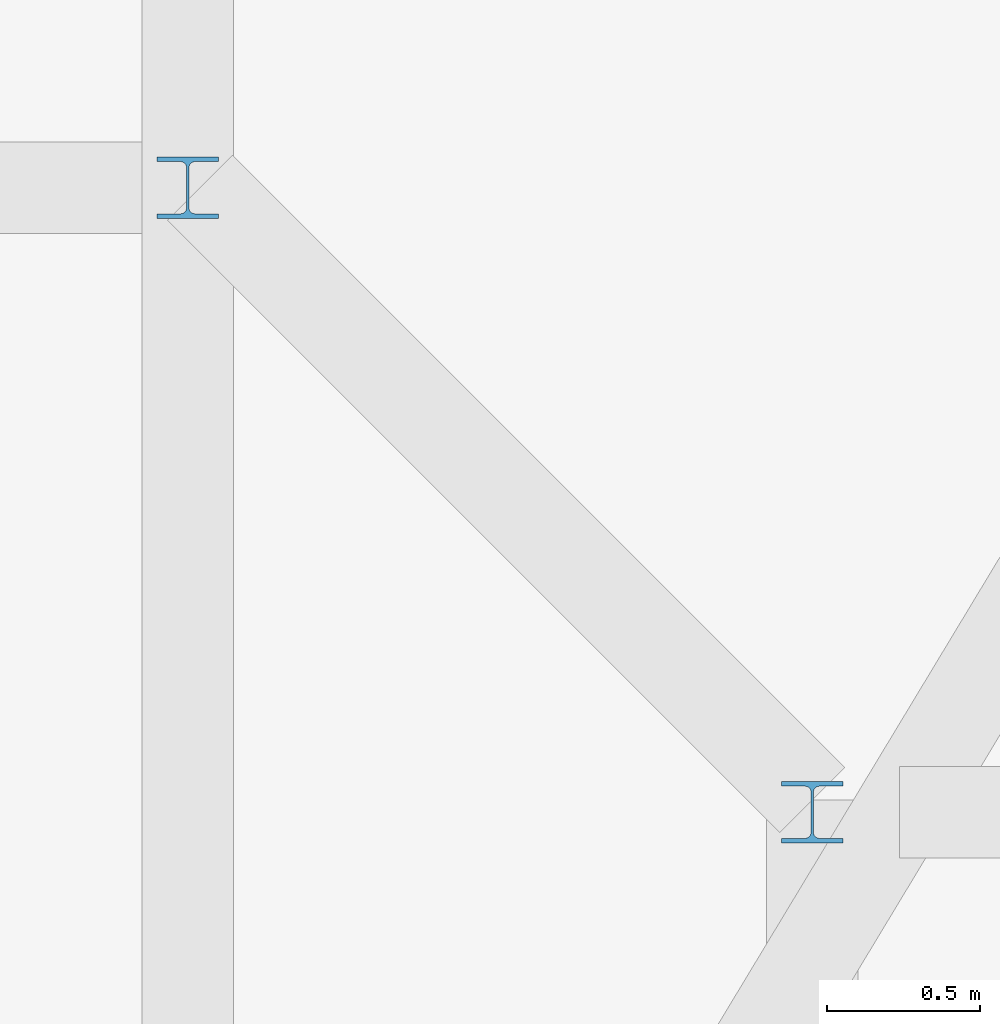
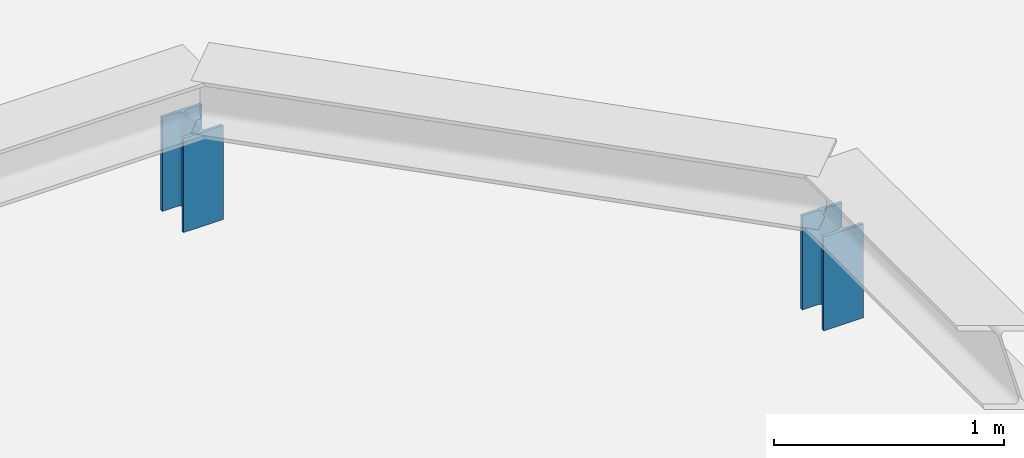
# One storey, part 9 of 12: 2 members.
"""IFC4 building model written with IfcOpenShell, lengths in metres."""

from ifc_helpers import new_model, si_unit, direction, frame, origin, origin_2d, place, context, subcontext, project, spatial, i_section, extrude, material, material_profile, profile_set, type_object, element, save


model = new_model("IFC4")

# Units and contexts
model_context = context("Model", 3, precision=1e-05, world=origin(), true_north=direction((0.0, 1.0)))
body_context = subcontext(model_context, "Body", "Model", "MODEL_VIEW")
ifc_project = project(units=[si_unit("LENGTHUNIT", "METRE"), si_unit("AREAUNIT", "SQUARE_METRE"), si_unit("VOLUMEUNIT", "CUBIC_METRE"), si_unit("PLANEANGLEUNIT", "RADIAN"), si_unit("MASSUNIT", "GRAM", prefix="KILO")], contexts=[model_context])

# Site, building, storey
site_placement = place(None, origin())
site = spatial("IfcSite", under=ifc_project, at=site_placement, CompositionType="ELEMENT")
building_placement = place(site_placement, origin())
building = spatial("IfcBuilding", under=site, at=building_placement, Name="Khuree Lantern Residences", CompositionType="ELEMENT")
storey_placement = place(building_placement, frame((0.0, 0.0, 363.25)))
storey = spatial("IfcBuildingStorey", under=building, at=storey_placement, Name="RF", CompositionType="ELEMENT", Elevation=363.25)

# Members
ifc_material = material(Name="Steel S355", Category="steel")
ifc_material_profile = material_profile(ifc_material, i_section(OverallWidth=0.199951171875, OverallDepth=0.199951171875, WebThickness=0.009033203125, FlangeThickness=0.014892578125, FilletRadius=0.01806640625, at=origin_2d()), Name="HE 200 B")
ifc_profile_set = profile_set([ifc_material_profile], Name="Steel S355")
member_type = type_object("IfcMemberType", Name="BM2 GANTRY TRACK PEDESTAL HE 200 B", PredefinedType="POST", material=ifc_profile_set)
for number, where, z_axis, x_axis, name in (
    (1, (17.0, 14.9599609375, 0.0), (0.0, 0.0, 1.0), (1.0, 0.0, 0.0), "Gantry track pedestal 10"),
    (2, (14.9599609375, 17.0, 0.0), (0.0, 0.0, 1.0), (1.0, 0.0, 0.0), "Gantry track pedestal 11"),
):
    element("IfcMember", number, at=place(storey_placement, frame(where, z_axis=z_axis, x_axis=x_axis)), inside=storey, type_object=member_type, Name=name, PredefinedType="POST", context=body_context, shape_type="SweptSolid", body=[
        extrude(i_section(OverallWidth=0.199951171875, OverallDepth=0.199951171875, WebThickness=0.009033203125, FlangeThickness=0.014892578125, FilletRadius=0.01806640625, at=origin_2d()), origin(), (0.0, 0.0, 1.0), 0.5),
    ])

save(model, "model.ifc")
